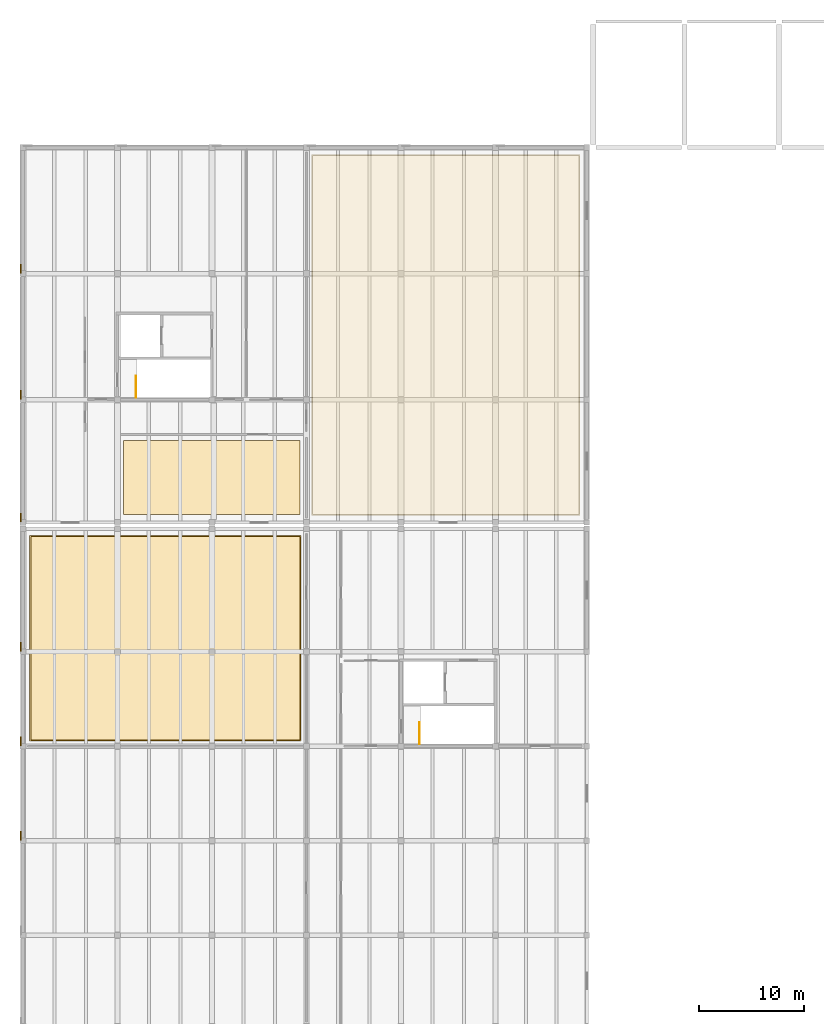
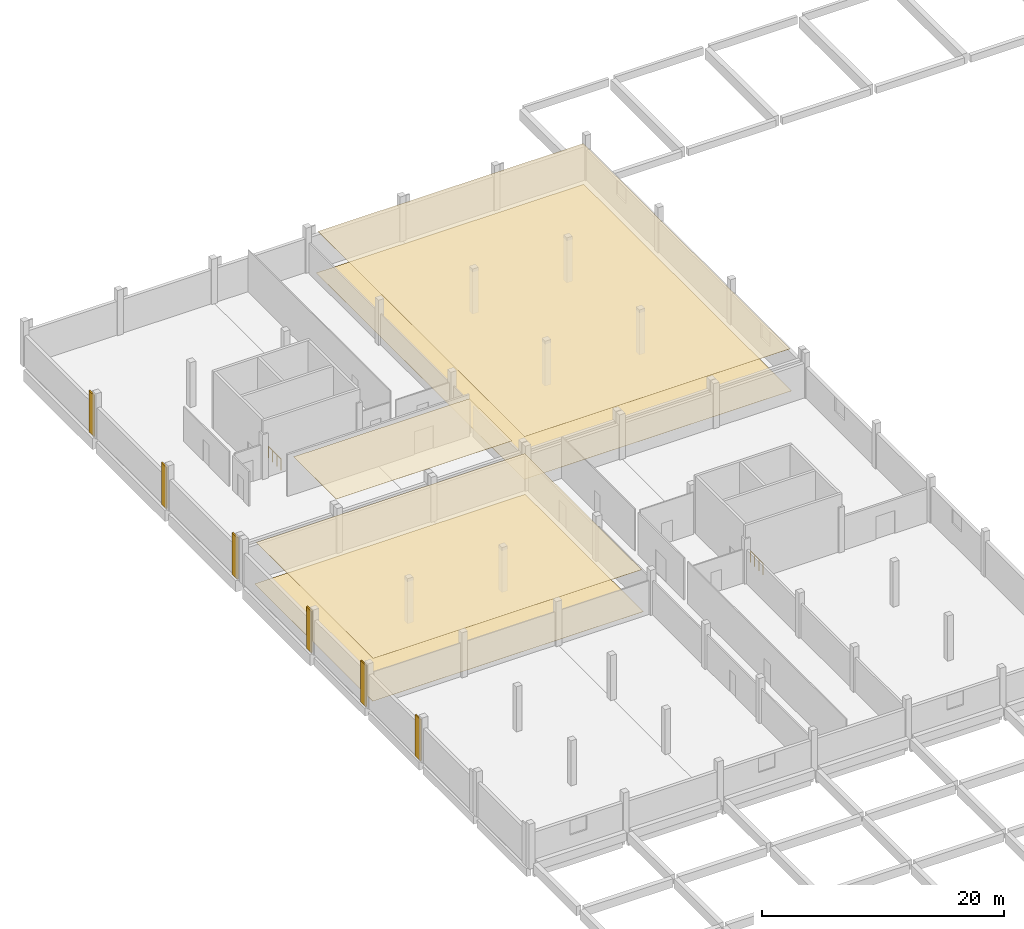
# One storey, part 20 of 25: 11 coverings, 2 railings.
"""IFC4 building model written with IfcOpenShell, lengths in metres."""

from ifc_helpers import new_model, si_unit, direction, frame, origin, origin_2d, place, context, subcontext, project, spatial, polyline, rectangle, circle, outline, extrude, material, layer, layer_set, type_object, element, save


model = new_model("IFC4")

# Units and contexts
model_context = context("Model", 3, precision=1e-05, world=origin(), true_north=direction((0.0, 1.0)))
body_context = subcontext(model_context, "Body", "Model", "MODEL_VIEW")
ifc_project = project(units=[si_unit("LENGTHUNIT", "METRE"), si_unit("AREAUNIT", "SQUARE_METRE"), si_unit("VOLUMEUNIT", "CUBIC_METRE"), si_unit("PLANEANGLEUNIT", "RADIAN"), si_unit("MASSUNIT", "GRAM", prefix="KILO")], contexts=[model_context])

# Site, building, storey
site_placement = place(None, origin())
site = spatial("IfcSite", under=ifc_project, at=site_placement, CompositionType="ELEMENT")
building_placement = place(site_placement, origin())
building = spatial("IfcBuilding", under=site, at=building_placement, Name="Zacnel Wholesale Market", CompositionType="ELEMENT")
storey_placement = place(building_placement, frame((0.0, 0.0, 15.75)))
storey = spatial("IfcBuildingStorey", under=building, at=storey_placement, Name="L04", CompositionType="ELEMENT", Elevation=15.75)

# Coverings
ifc_material_1 = material(Name="Micro-perforated acoustic gypsum ceiling")
ifc_layer_1 = layer(ifc_material_1, 0.02001953125)
ifc_layer_set_1 = layer_set([ifc_layer_1], Name="Micro-perforated acoustic gypsum ceiling")
covering_type_1 = type_object("IfcCoveringType", Name="COV-CEIL-AC-20", PredefinedType="CEILING", material=ifc_layer_set_1)
covering_1_placement = place(storey_placement, frame((0.0, 0.0, 4.2099609375)))
element("IfcCovering", 1, at=covering_1_placement, inside=storey, type_object=covering_type_1, Name="Acoustic ceiling L04-303", PredefinedType="CEILING", context=body_context, shape_type="SweptSolid", body=[
    extrude(outline(polyline([(18.75, 75.60009765625), (44.39990234375, 75.60009765625), (44.39990234375, 94.949951171875), (18.75, 94.949951171875), (18.75, 75.60009765625)])), origin(), (0.0, 0.0, 1.0), 0.02001953125),
])
covering_2_placement = place(storey_placement, frame((0.0, 0.0, 4.2099609375)))
element("IfcCovering", 2, at=covering_2_placement, inside=storey, type_object=covering_type_1, Name="Acoustic ceiling L04-308S", PredefinedType="CEILING", context=body_context, shape_type="SweptSolid", body=[
    extrude(outline(polyline([(27.60009765625, 97.050048828125), (44.39990234375, 97.050048828125), (44.39990234375, 104.10009765625), (27.60009765625, 104.10009765625), (27.60009765625, 97.050048828125)])), origin(), (0.0, 0.0, 1.0), 0.02001953125),
])
covering_3_placement = place(storey_placement, frame((0.0, 0.0, 4.2099609375)))
element("IfcCovering", 3, at=covering_3_placement, inside=storey, type_object=covering_type_1, Name="Acoustic ceiling L04-309", PredefinedType="CEILING", context=body_context, shape_type="SweptSolid", body=[
    extrude(outline(polyline([(45.60009765625, 97.050048828125), (70.949951171875, 97.050048828125), (70.949951171875, 131.25), (45.60009765625, 131.25), (45.60009765625, 97.050048828125)])), origin(), (0.0, 0.0, 1.0), 0.02001953125),
])
ifc_material_2 = material(Name="Honed Yucatan Maya cream limestone", Category="masonry")
ifc_layer_2 = layer(ifc_material_2, 0.090087890625)
ifc_layer_set_2 = layer_set([ifc_layer_2], Name="Honed Yucatan Maya cream limestone")
covering_type_2 = type_object("IfcCoveringType", Name="COV-CLAD-FRET", PredefinedType="CLADDING", material=ifc_layer_set_2)
for number, where, z_axis, x_axis, name in (
    (4, (17.7900390625, 66.47998046875, 0.02001953125), (0.0, 0.0, 1.0), (0.0, 1.0, 0.0), "Fluted Mayan-Deco limestone pilaster L04-0240"),
    (5, (17.7900390625, 75.47998046875, 0.02001953125), (0.0, 0.0, 1.0), (0.0, 1.0, 0.0), "Fluted Mayan-Deco limestone pilaster L04-0241"),
    (6, (17.7900390625, 84.47998046875, 0.02001953125), (0.0, 0.0, 1.0), (0.0, 1.0, 0.0), "Fluted Mayan-Deco limestone pilaster L04-0242"),
    (7, (17.7900390625, 96.780029296875, 0.02001953125), (0.0, 0.0, 1.0), (0.0, 1.0, 0.0), "Fluted Mayan-Deco limestone pilaster L04-0249"),
    (8, (17.7900390625, 108.47998046875, 0.02001953125), (0.0, 0.0, 1.0), (0.0, 1.0, 0.0), "Fluted Mayan-Deco limestone pilaster L04-0250"),
    (9, (17.7900390625, 120.47998046875, 0.02001953125), (0.0, 0.0, 1.0), (0.0, 1.0, 0.0), "Fluted Mayan-Deco limestone pilaster L04-0251"),
):
    element("IfcCovering", number, at=place(storey_placement, frame(where, z_axis=z_axis, x_axis=x_axis)), inside=storey, type_object=covering_type_2, Name=name, PredefinedType="CLADDING", context=body_context, shape_type="SweptSolid", body=[
        extrude(rectangle(XDim=0.85009765625, YDim=0.1201171875, at=origin_2d()), origin(), (0.0, 0.0, 1.0), 4.18994140625),
    ])
ifc_material_3 = material(Name="Food-grade epoxy resin flooring")
ifc_layer_3 = layer(ifc_material_3, 0.011962890625)
ifc_layer_set_3 = layer_set([ifc_layer_3], Name="Food-grade epoxy resin flooring")
covering_type_3 = type_object("IfcCoveringType", Name="COV-FLR-EPOXY-12", PredefinedType="FLOORING", material=ifc_layer_set_3)
covering_4_placement = place(storey_placement, origin())
element("IfcCovering", 10, at=covering_4_placement, inside=storey, type_object=covering_type_3, Name="Hygienic epoxy floor finish L04-303", PredefinedType="FLOORING", context=body_context, shape_type="SweptSolid", body=[
    extrude(outline(polyline([(18.64990234375, 75.5), (44.5, 75.5), (44.5, 95.050048828125), (18.64990234375, 95.050048828125), (18.64990234375, 75.5)])), origin(), (0.0, 0.0, 1.0), 0.011962890625),
])
covering_5_placement = place(storey_placement, origin())
element("IfcCovering", 11, at=covering_5_placement, inside=storey, type_object=covering_type_3, Name="Hygienic epoxy floor finish L04-309", PredefinedType="FLOORING", context=body_context, shape_type="SweptSolid", body=[
    extrude(outline(polyline([(45.5, 96.949951171875), (71.050048828125, 96.949951171875), (71.050048828125, 131.35009765625), (45.5, 131.35009765625), (45.5, 96.949951171875)])), origin(), (0.0, 0.0, 1.0), 0.011962890625),
])

# Railings
ifc_material_4 = material(Name="Galvanized steel", Category="steel")
railing_type = type_object("IfcRailingType", Name="RAL-STAIR-GD1150", PredefinedType="BALUSTRADE", material=ifc_material_4)
for number, where, name in (
    (12, (55.75, 75.18994140625, 0.0), "Stair balustrade INT-STAIR-ST-11-GDWELL-1"),
    (13, (28.75, 108.18994140625, 0.0), "Stair balustrade INT-STAIR-ST-30-GDWELL-1"),
):
    element("IfcRailing", number, at=place(storey_placement, frame(where)), inside=storey, type_object=railing_type, Name=name, PredefinedType="BALUSTRADE", context=body_context, shape_type="SweptSolid", body=[
        extrude(circle(Radius=0.02392578125, at=origin_2d()), frame((0.0, 0.0, 1.1259765625), z_axis=(0.0, 1.0, 0.0), x_axis=(-1.0, 0.0, 0.0)), (0.0, 0.0, 1.0), 2.06005859375),
        extrude(circle(Radius=0.02099609375, at=origin_2d()), origin(), (0.0, 0.0, 1.0), 1.101806640625),
        extrude(circle(Radius=0.02099609375, at=origin_2d()), frame((0.0, 0.686767578125, 0.0)), (0.0, 0.0, 1.0), 1.101806640625),
        extrude(circle(Radius=0.02099609375, at=origin_2d()), frame((0.0, 1.373291015625, 0.0)), (0.0, 0.0, 1.0), 1.101806640625),
        extrude(circle(Radius=0.02099609375, at=origin_2d()), frame((0.0, 2.06005859375, 0.0)), (0.0, 0.0, 1.0), 1.101806640625),
    ])

save(model, "model.ifc")
